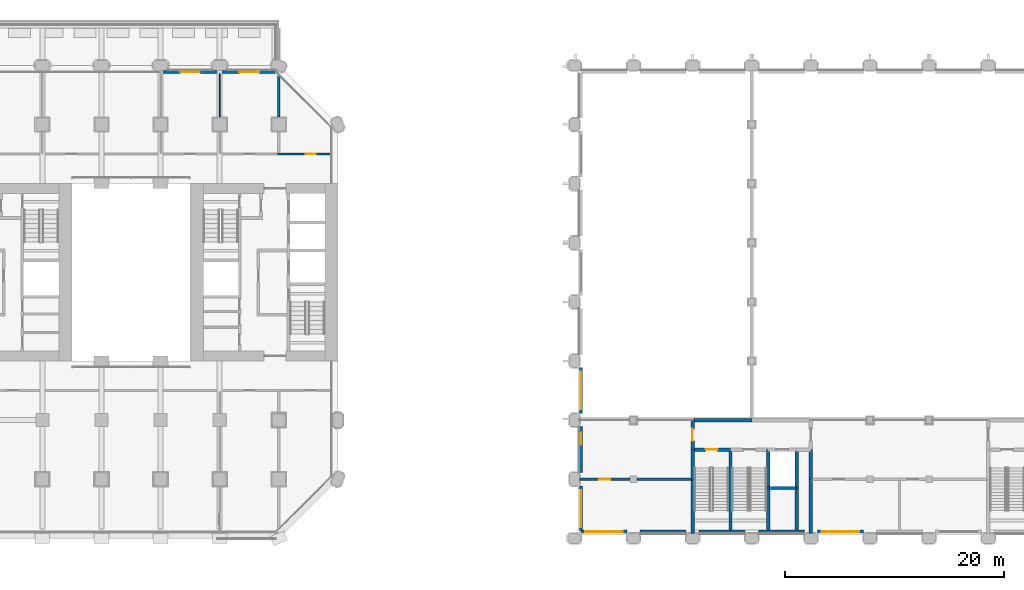
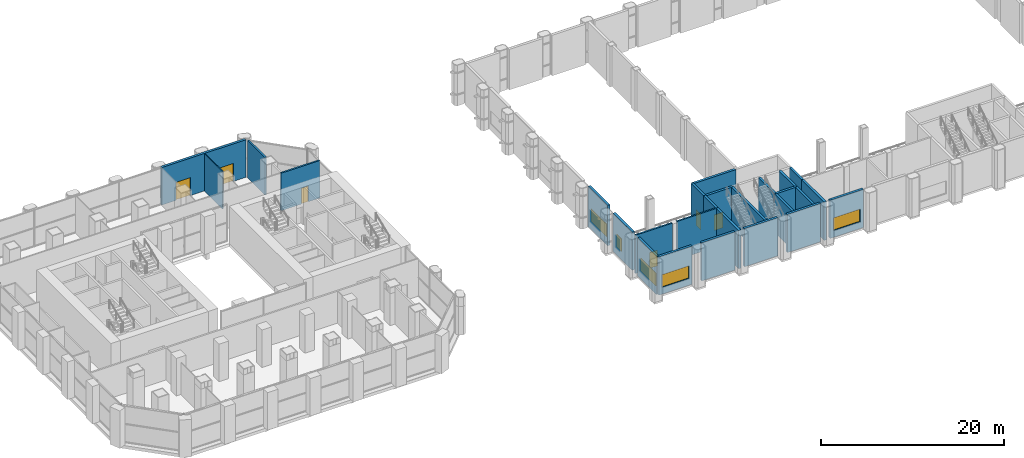
# One storey, part 14 of 27: 27 walls, 6 doors, 5 windows, 11 openings.
"""IFC4 building model written with IfcOpenShell, lengths in metres."""

from ifc_helpers import new_model, si_unit, direction, frame, frame_2d, origin, place, context, subcontext, project, spatial, rectangle, extrude, material, layer, layer_set, type_object, element, fill, save


model = new_model("IFC4")

# Units and contexts
model_context = context("Model", 3, precision=1e-05, world=origin(), true_north=direction((0.0, 1.0)))
body_context = subcontext(model_context, "Body", "Model", "MODEL_VIEW")
ifc_project = project(units=[si_unit("LENGTHUNIT", "METRE"), si_unit("AREAUNIT", "SQUARE_METRE"), si_unit("VOLUMEUNIT", "CUBIC_METRE"), si_unit("PLANEANGLEUNIT", "RADIAN"), si_unit("MASSUNIT", "GRAM", prefix="KILO")], contexts=[model_context])

# Site, building, storey
site_placement = place(None, origin())
site = spatial("IfcSite", under=ifc_project, at=site_placement, CompositionType="ELEMENT")
building_placement = place(site_placement, origin())
building = spatial("IfcBuilding", under=site, at=building_placement, Name="Tabaq Tower and Sports Hall", CompositionType="ELEMENT")
storey_placement = place(building_placement, frame((0.0, 0.0, 14.39990234375)))
storey = spatial("IfcBuildingStorey", under=building, at=storey_placement, Name="L02", CompositionType="ELEMENT", Elevation=14.39990234375)

# Wall, opening, door
ifc_material_1 = material(Name="Blockwork", Category="masonry")
ifc_layer_1 = layer(ifc_material_1, 0.199951171875)
ifc_layer_set_1 = layer_set([ifc_layer_1], Name="Fire compartment wall 200 Blockwork")
wall_type_1 = type_object("IfcWallType", Name="Fire compartment wall 200 Blockwork", PredefinedType="PARTITIONING", material=ifc_layer_set_1)
wall_1_placement = place(storey_placement, frame((42.60009765625, 35.10009765625, 0.0), z_axis=(0.0, 0.0, 1.0), x_axis=(-1.0, 0.0, 0.0)))
wall_1 = element("IfcWall", 1, at=wall_1_placement, inside=storey, type_object=wall_type_1, Name="Compartment wall L02", PredefinedType="PARTITIONING", context=body_context, shape_type="SweptSolid", body=[
    extrude(rectangle(XDim=4.900146484375, YDim=0.199951171875, at=frame_2d((2.4501953125, 0.0))), origin(), (0.0, 0.0, 1.0), 5.0),
])
opening_1_placement = place(wall_1_placement, frame((1.425048828125, 0.0, 0.0)))
opening_1 = element("IfcOpeningElement", 2, at=opening_1_placement, cuts=wall_1, Name="Opening L02-005", PredefinedType="OPENING", context=body_context, shape_type="SweptSolid", body=[
    extrude(rectangle(XDim=0.89990234375, YDim=2.10009765625, at=frame_2d((0.449951171875, 1.050048828125))), frame((0.0, 0.10009765625, 0.0), z_axis=(0.0, -1.0, 0.0), x_axis=(1.0, 0.0, 0.0)), (0.0, 0.0, 1.0), 0.199951171875),
])
ifc_material_2 = material(Name="Steel fire door", Category="steel")
door_type_1 = type_object("IfcDoorType", Name="Plant room door 900 left hand", OperationType="SINGLE_SWING_LEFT", PredefinedType="DOOR", material=ifc_material_2)
door_1_placement = place(opening_1_placement, origin())
door_1 = element("IfcDoor", 3, at=door_1_placement, inside=storey, type_object=door_type_1, Name="Plant room door L02-005", OperationType="SINGLE_SWING_LEFT", OverallHeight=2.10009765625, OverallWidth=0.89990234375, PredefinedType="DOOR", context=body_context, shape_type="SweptSolid", body=[
    extrude(rectangle(XDim=0.89990234375, YDim=2.10009765625, at=frame_2d((0.449951171875, 1.050048828125))), frame((0.0, 0.02490234375, 0.0), z_axis=(0.0, -1.0, 0.0), x_axis=(1.0, 0.0, 0.0)), (0.0, 0.0, 1.0), 0.050048828125),
])
fill(opening_1, door_1)

# Walls
wall_2_placement = place(storey_placement, frame((37.800048828125, 38.500732421875, 0.0), z_axis=(0.0, 0.0, 1.0), x_axis=(0.0, 1.0, 0.0)))
element("IfcWall", 4, at=wall_2_placement, inside=storey, type_object=wall_type_1, Name="Compartment wall L02", PredefinedType="PARTITIONING", context=body_context, shape_type="SweptSolid", body=[
    extrude(rectangle(XDim=3.750732421875, YDim=0.199951171875, at=frame_2d((1.87548828125, 0.0))), origin(), (0.0, 0.0, 1.0), 5.0),
])
ifc_material_3 = material(Name="Concrete C50/60", Category="concrete")
ifc_layer_2 = layer(ifc_material_3, 0.300048828125)
ifc_layer_set_2 = layer_set([ifc_layer_2], Name="HALL CORE WALL RC 300 C50/60")
wall_type_2 = type_object("IfcWallType", Name="HALL CORE WALL RC 300 C50/60", PredefinedType="SHEAR", material=ifc_layer_set_2)
wall_3_placement = place(storey_placement, frame((75.60009765625, 5.39990234375, 0.0), z_axis=(0.0, 0.0, 1.0), x_axis=(0.0, 1.0, 0.0)))
element("IfcWall", 5, at=wall_3_placement, inside=storey, type_object=wall_type_2, Name="L02 core wall 003", PredefinedType="SHEAR", context=body_context, shape_type="SweptSolid", body=[
    extrude(rectangle(XDim=2.7001953125, YDim=0.300048828125, at=frame_2d((1.35009765625, 0.0))), origin(), (0.0, 0.0, 1.0), 5.10009765625),
])

# Wall, opening, door
wall_4_placement = place(storey_placement, frame((75.60009765625, 8.10009765625, 0.0), z_axis=(0.0, 0.0, 1.0), x_axis=(0.0, 1.0, 0.0)))
wall_4 = element("IfcWall", 6, at=wall_4_placement, inside=storey, type_object=wall_type_2, Name="L02 core wall 004", PredefinedType="SHEAR", context=body_context, shape_type="SweptSolid", body=[
    extrude(rectangle(XDim=2.699951171875, YDim=0.300048828125, at=frame_2d((1.35009765625, 0.0))), origin(), (0.0, 0.0, 1.0), 5.10009765625),
])
opening_2_placement = place(wall_4_placement, frame((0.800048828125, 0.0, 0.0)))
opening_2 = element("IfcOpeningElement", 7, at=opening_2_placement, cuts=wall_4, Name="Opening HD055", PredefinedType="OPENING", context=body_context, shape_type="SweptSolid", body=[
    extrude(rectangle(XDim=1.10009765625, YDim=2.10009765625, at=frame_2d((0.550048828125, 1.050048828125))), frame((0.0, 0.14990234375, 0.0), z_axis=(0.0, -1.0, 0.0), x_axis=(1.0, 0.0, 0.0)), (0.0, 0.0, 1.0), 0.300048828125),
])
ifc_material_4 = material(Name="Steel fire door leaf in steel frame", Category="steel")
door_type_2 = type_object("IfcDoorType", Name="HALL FIRE DOOR 1100x2100", OperationType="SINGLE_SWING_LEFT", PredefinedType="DOOR", material=ifc_material_4)
door_2_placement = place(opening_2_placement, origin())
door_2 = element("IfcDoor", 8, at=door_2_placement, inside=storey, type_object=door_type_2, Name="Door HD055", OperationType="SINGLE_SWING_LEFT", OverallHeight=2.10009765625, OverallWidth=1.10009765625, PredefinedType="DOOR", context=body_context, shape_type="SweptSolid", body=[
    extrude(rectangle(XDim=1.10009765625, YDim=2.10009765625, at=frame_2d((0.550048828125, 1.050048828125))), frame((0.0, 0.02490234375, 0.0), z_axis=(0.0, -1.0, 0.0), x_axis=(1.0, 0.0, 0.0)), (0.0, 0.0, 1.0), 0.050048828125),
])
fill(opening_2, door_2)

# Walls
wall_5_placement = place(storey_placement, frame((86.39990234375, 5.39990234375, 0.0), z_axis=(0.0, 0.0, 1.0), x_axis=(0.0, 1.0, 0.0)))
element("IfcWall", 9, at=wall_5_placement, inside=storey, type_object=wall_type_2, Name="L02 core wall 009", PredefinedType="SHEAR", context=body_context, shape_type="SweptSolid", body=[
    extrude(rectangle(XDim=2.7001953125, YDim=0.300048828125, at=frame_2d((1.35009765625, 0.0))), origin(), (0.0, 0.0, 1.0), 5.10009765625),
])
for number, where, z_axis, x_axis, name in (
    (10, (75.60009765625, 0.449951171875, 0.0), (0.0, 0.0, 1.0), (0.0, 1.0, 0.0), "L02 core wall 019"),
    (11, (86.39990234375, 0.449951171875, 0.0), (0.0, 0.0, 1.0), (0.0, 1.0, 0.0), "L02 core wall 021"),
):
    element("IfcWall", number, at=place(storey_placement, frame(where, z_axis=z_axis, x_axis=x_axis)), inside=storey, type_object=wall_type_2, Name=name, PredefinedType="SHEAR", context=body_context, shape_type="SweptSolid", body=[
        extrude(rectangle(XDim=4.949951171875, YDim=0.300048828125, at=frame_2d((2.47509765625, 0.0))), origin(), (0.0, 0.0, 1.0), 5.10009765625),
    ])
wall_6_placement = place(storey_placement, frame((79.050048828125, 0.75, 0.0), z_axis=(0.0, 0.0, 1.0), x_axis=(0.0, 1.0, 0.0)))
element("IfcWall", 12, at=wall_6_placement, inside=storey, type_object=wall_type_2, Name="L02 core wall 027", PredefinedType="SHEAR", context=body_context, shape_type="SweptSolid", body=[
    extrude(rectangle(XDim=7.35009765625, YDim=0.300048828125, at=frame_2d((3.675048828125, 0.0))), origin(), (0.0, 0.0, 1.0), 5.10009765625),
])

# Wall, opening, door
wall_7_placement = place(storey_placement, frame((75.60009765625, 8.10009765625, 0.0), z_axis=(0.0, 0.0, 1.0), x_axis=(1.0, 0.0, 0.0)))
wall_7 = element("IfcWall", 13, at=wall_7_placement, inside=storey, type_object=wall_type_2, Name="L02 core wall 028", PredefinedType="SHEAR", context=body_context, shape_type="SweptSolid", body=[
    extrude(rectangle(XDim=3.449951171875, YDim=0.300048828125, at=frame_2d((1.72509765625, 0.0))), origin(), (0.0, 0.0, 1.0), 5.10009765625),
])
opening_3_placement = place(wall_7_placement, frame((1.175048828125, 0.0, 0.0)))
opening_3 = element("IfcOpeningElement", 14, at=opening_3_placement, cuts=wall_7, Name="Opening HD066", PredefinedType="OPENING", context=body_context, shape_type="SweptSolid", body=[
    extrude(rectangle(XDim=1.10009765625, YDim=2.10009765625, at=frame_2d((0.550048828125, 1.050048828125))), frame((0.0, 0.14990234375, 0.0), z_axis=(0.0, -1.0, 0.0), x_axis=(1.0, 0.0, 0.0)), (0.0, 0.0, 1.0), 0.300048828125),
])
door_3_placement = place(opening_3_placement, origin())
door_3 = element("IfcDoor", 15, at=door_3_placement, inside=storey, type_object=door_type_2, Name="Door HD066", OperationType="SINGLE_SWING_LEFT", OverallHeight=2.10009765625, OverallWidth=1.10009765625, PredefinedType="DOOR", context=body_context, shape_type="SweptSolid", body=[
    extrude(rectangle(XDim=1.10009765625, YDim=2.10009765625, at=frame_2d((0.550048828125, 1.050048828125))), frame((0.0, 0.02490234375, 0.0), z_axis=(0.0, -1.0, 0.0), x_axis=(1.0, 0.0, 0.0)), (0.0, 0.0, 1.0), 0.050048828125),
])
fill(opening_3, door_3)

# Walls
wall_8_placement = place(storey_placement, frame((82.5, 4.60009765625, 0.0), z_axis=(0.0, 0.0, 1.0), x_axis=(0.0, 1.0, 0.0)))
element("IfcWall", 16, at=wall_8_placement, inside=storey, type_object=wall_type_2, Name="L02 core wall 029", PredefinedType="SHEAR", context=body_context, shape_type="SweptSolid", body=[
    extrude(rectangle(XDim=3.5, YDim=0.300048828125, at=frame_2d((1.75, 0.0))), origin(), (0.0, 0.0, 1.0), 5.10009765625),
])
wall_9_placement = place(storey_placement, frame((82.5, 0.75, 0.0), z_axis=(0.0, 0.0, 1.0), x_axis=(0.0, 1.0, 0.0)))
element("IfcWall", 17, at=wall_9_placement, inside=storey, type_object=wall_type_2, Name="L02 core wall 030", PredefinedType="SHEAR", context=body_context, shape_type="SweptSolid", body=[
    extrude(rectangle(XDim=3.85009765625, YDim=0.300048828125, at=frame_2d((1.925048828125, 0.0))), origin(), (0.0, 0.0, 1.0), 5.10009765625),
])
wall_10_placement = place(storey_placement, frame((82.5, 4.60009765625, 0.0), z_axis=(0.0, 0.0, 1.0), x_axis=(1.0, 0.0, 0.0)))
element("IfcWall", 18, at=wall_10_placement, inside=storey, type_object=wall_type_2, Name="L02 core wall 032", PredefinedType="SHEAR", context=body_context, shape_type="SweptSolid", body=[
    extrude(rectangle(XDim=2.60009765625, YDim=0.300048828125, at=frame_2d((1.300048828125, 0.0))), origin(), (0.0, 0.0, 1.0), 5.10009765625),
])
wall_11_placement = place(storey_placement, frame((85.10009765625, 4.60009765625, 0.0), z_axis=(0.0, 0.0, 1.0), x_axis=(0.0, 1.0, 0.0)))
element("IfcWall", 19, at=wall_11_placement, inside=storey, type_object=wall_type_2, Name="L02 core wall 033", PredefinedType="SHEAR", context=body_context, shape_type="SweptSolid", body=[
    extrude(rectangle(XDim=3.5, YDim=0.300048828125, at=frame_2d((1.75, 0.0))), origin(), (0.0, 0.0, 1.0), 5.10009765625),
])
wall_12_placement = place(storey_placement, frame((85.10009765625, 0.75, 0.0), z_axis=(0.0, 0.0, 1.0), x_axis=(0.0, 1.0, 0.0)))
element("IfcWall", 20, at=wall_12_placement, inside=storey, type_object=wall_type_2, Name="L02 core wall 035", PredefinedType="SHEAR", context=body_context, shape_type="SweptSolid", body=[
    extrude(rectangle(XDim=3.85009765625, YDim=0.300048828125, at=frame_2d((1.925048828125, 0.0))), origin(), (0.0, 0.0, 1.0), 5.10009765625),
])
wall_13_placement = place(storey_placement, frame((75.60009765625, 10.800048828125, 0.0), z_axis=(0.0, 0.0, 1.0), x_axis=(1.0, 0.0, 0.0)))
element("IfcWall", 21, at=wall_13_placement, inside=storey, type_object=wall_type_2, Name="L02 core wall 038", PredefinedType="SHEAR", context=body_context, shape_type="SweptSolid", body=[
    extrude(rectangle(XDim=5.39990234375, YDim=0.300048828125, at=frame_2d((2.699951171875, 0.0))), origin(), (0.0, 0.0, 1.0), 5.10009765625),
])

# Wall, opening, door
ifc_material_5 = material(Name="Blockwork partition with plaster both faces", Category="masonry")
ifc_layer_3 = layer(ifc_material_5, 0.199951171875)
ifc_layer_set_3 = layer_set([ifc_layer_3], Name="HALL PARTITION 200")
wall_type_3 = type_object("IfcWallType", Name="HALL PARTITION 200", PredefinedType="PARTITIONING", material=ifc_layer_set_3)
wall_14_placement = place(storey_placement, frame((65.25, 5.39990234375, 0.0), z_axis=(0.0, 0.0, 1.0), x_axis=(1.0, 0.0, 0.0)))
wall_14 = element("IfcWall", 22, at=wall_14_placement, inside=storey, type_object=wall_type_3, Name="L02 partition 001", PredefinedType="PARTITIONING", context=body_context, shape_type="SweptSolid", body=[
    extrude(rectangle(XDim=4.64990234375, YDim=0.199951171875, at=frame_2d((2.324951171875, 0.0))), origin(), (0.0, 0.0, 1.0), 5.10009765625),
])
opening_4_placement = place(wall_14_placement, frame((1.824951171875, 0.0, 0.0)))
opening_4 = element("IfcOpeningElement", 23, at=opening_4_placement, cuts=wall_14, Name="Opening HD059", PredefinedType="OPENING", context=body_context, shape_type="SweptSolid", body=[
    extrude(rectangle(XDim=1.0, YDim=2.10009765625, at=frame_2d((0.5, 1.050048828125))), frame((0.0, 0.10009765625, 0.0), z_axis=(0.0, -1.0, 0.0), x_axis=(1.0, 0.0, 0.0)), (0.0, 0.0, 1.0), 0.199951171875),
])
ifc_material_6 = material(Name="Timber veneer door leaf in steel frame", Category="steel")
door_type_3 = type_object("IfcDoorType", Name="HALL DOOR SINGLE 1000x2100", OperationType="SINGLE_SWING_LEFT", PredefinedType="DOOR", material=ifc_material_6)
door_4_placement = place(opening_4_placement, origin())
door_4 = element("IfcDoor", 24, at=door_4_placement, inside=storey, type_object=door_type_3, Name="Door HD059", OperationType="SINGLE_SWING_LEFT", OverallHeight=2.10009765625, OverallWidth=1.0, PredefinedType="DOOR", context=body_context, shape_type="SweptSolid", body=[
    extrude(rectangle(XDim=1.0, YDim=2.10009765625, at=frame_2d((0.5, 1.050048828125))), frame((0.0, 0.02490234375, 0.0), z_axis=(0.0, -1.0, 0.0), x_axis=(1.0, 0.0, 0.0)), (0.0, 0.0, 1.0), 0.050048828125),
])
fill(opening_4, door_4)

# Walls
wall_15_placement = place(storey_placement, frame((70.5, 5.39990234375, 0.0), z_axis=(0.0, 0.0, 1.0), x_axis=(1.0, 0.0, 0.0)))
element("IfcWall", 25, at=wall_15_placement, inside=storey, type_object=wall_type_3, Name="L02 partition 002", PredefinedType="PARTITIONING", context=body_context, shape_type="SweptSolid", body=[
    extrude(rectangle(XDim=5.10009765625, YDim=0.199951171875, at=frame_2d((2.550048828125, 0.0))), origin(), (0.0, 0.0, 1.0), 5.10009765625),
])
ifc_material_7 = material(Name="Gypsum board on steel studs", Category="steel")
ifc_layer_4 = layer(ifc_material_7, 0.10009765625)
ifc_layer_set_4 = layer_set([ifc_layer_4], Name="Partition 100 Gypsum board")
wall_type_4 = type_object("IfcWallType", Name="Partition 100 Gypsum board", PredefinedType="PARTITIONING", material=ifc_layer_set_4)
wall_16_placement = place(storey_placement, frame((32.39990234375, 38.500732421875, 0.0), z_axis=(0.0, 0.0, 1.0), x_axis=(0.0, 1.0, 0.0)))
element("IfcWall", 26, at=wall_16_placement, inside=storey, type_object=wall_type_4, Name="Partition wall L02", PredefinedType="PARTITIONING", context=body_context, shape_type="SweptSolid", body=[
    extrude(rectangle(XDim=3.9482421875, YDim=0.10009765625, at=frame_2d((1.97412109375, 0.0))), origin(), (0.0, 0.0, 1.0), 5.0),
])

# Wall, opening, window
ifc_material_8 = material(Name="White precast concrete C60/75", Category="concrete")
ifc_layer_5 = layer(ifc_material_8, 0.300048828125)
ifc_layer_set_5 = layer_set([ifc_layer_5], Name="White precast concrete C60/75 external wall 300")
wall_type_5 = type_object("IfcWallType", Name="White precast concrete C60/75 external wall 300", PredefinedType="SOLIDWALL", material=ifc_layer_set_5)
wall_17_placement = place(storey_placement, frame((65.39990234375, 0.60009765625, 0.0), z_axis=(0.0, 0.0, 1.0), x_axis=(1.0, 0.0, 0.0)))
wall_17 = element("IfcWall", 27, at=wall_17_placement, inside=storey, type_object=wall_type_5, Name="L02 S facade panel", PredefinedType="SOLIDWALL", context=body_context, shape_type="SweptSolid", body=[
    extrude(rectangle(XDim=4.2001953125, YDim=0.300048828125, at=frame_2d((2.10009765625, 0.0))), origin(), (0.0, 0.0, 1.0), 5.10009765625),
])
opening_5_placement = place(wall_17_placement, frame((0.39990234375, 0.0, 0.89990234375)))
opening_5 = element("IfcOpeningElement", 28, at=opening_5_placement, cuts=wall_17, Name="Opening HW001", PredefinedType="OPENING", context=body_context, shape_type="SweptSolid", body=[
    extrude(rectangle(XDim=3.39990234375, YDim=1.699951171875, at=frame_2d((1.699951171875, 0.85009765625))), frame((0.0, 0.14990234375, 0.0), z_axis=(0.0, -1.0, 0.0), x_axis=(1.0, 0.0, 0.0)), (0.0, 0.0, 1.0), 0.300048828125),
])
ifc_material_9 = material(Name="Aluminium framed clear glazing", Category="aluminium")
window_type_1 = type_object("IfcWindowType", Name="Window W1A", PartitioningType="SINGLE_PANEL", PredefinedType="WINDOW", material=ifc_material_9)
window_1_placement = place(opening_5_placement, origin())
window_1 = element("IfcWindow", 29, at=window_1_placement, inside=storey, type_object=window_type_1, Name="Window HW001", OverallHeight=1.699951171875, OverallWidth=3.39990234375, PartitioningType="SINGLE_PANEL", PredefinedType="WINDOW", context=body_context, shape_type="SweptSolid", body=[
    extrude(rectangle(XDim=3.39990234375, YDim=1.699951171875, at=frame_2d((1.699951171875, 0.85009765625))), frame((0.0, 0.030029296875, 0.0), z_axis=(0.0, -1.0, 0.0), x_axis=(1.0, 0.0, 0.0)), (0.0, 0.0, 1.0), 0.06005859375),
])
fill(opening_5, window_1)

# Walls
for number, where, z_axis, x_axis, name in (
    (30, (70.800048828125, 0.60009765625, 0.0), (0.0, 0.0, 1.0), (1.0, 0.0, 0.0), "L02 S facade panel"),
    (31, (76.199951171875, 0.60009765625, 0.0), (0.0, 0.0, 1.0), (1.0, 0.0, 0.0), "L02 S facade panel"),
    (32, (81.60009765625, 0.60009765625, 0.0), (0.0, 0.0, 1.0), (1.0, 0.0, 0.0), "L02 S facade panel"),
):
    element("IfcWall", number, at=place(storey_placement, frame(where, z_axis=z_axis, x_axis=x_axis)), inside=storey, type_object=wall_type_5, Name=name, PredefinedType="SOLIDWALL", context=body_context, shape_type="SweptSolid", body=[
        extrude(rectangle(XDim=4.199951171875, YDim=0.300048828125, at=frame_2d((2.10009765625, 0.0))), origin(), (0.0, 0.0, 1.0), 5.10009765625),
    ])

# Wall, opening, window
wall_18_placement = place(storey_placement, frame((87.0, 0.60009765625, 0.0), z_axis=(0.0, 0.0, 1.0), x_axis=(1.0, 0.0, 0.0)))
wall_18 = element("IfcWall", 33, at=wall_18_placement, inside=storey, type_object=wall_type_5, Name="L02 S facade panel", PredefinedType="SOLIDWALL", context=body_context, shape_type="SweptSolid", body=[
    extrude(rectangle(XDim=4.199951171875, YDim=0.300048828125, at=frame_2d((2.10009765625, 0.0))), origin(), (0.0, 0.0, 1.0), 5.10009765625),
])
opening_6_placement = place(wall_18_placement, frame((0.39990234375, 0.0, 0.89990234375)))
opening_6 = element("IfcOpeningElement", 34, at=opening_6_placement, cuts=wall_18, Name="Opening HW006", PredefinedType="OPENING", context=body_context, shape_type="SweptSolid", body=[
    extrude(rectangle(XDim=3.39990234375, YDim=1.699951171875, at=frame_2d((1.699951171875, 0.85009765625))), frame((0.0, 0.14990234375, 0.0), z_axis=(0.0, -1.0, 0.0), x_axis=(1.0, 0.0, 0.0)), (0.0, 0.0, 1.0), 0.300048828125),
])
window_2_placement = place(opening_6_placement, origin())
window_2 = element("IfcWindow", 35, at=window_2_placement, inside=storey, type_object=window_type_1, Name="Window HW006", OverallHeight=1.699951171875, OverallWidth=3.39990234375, PartitioningType="SINGLE_PANEL", PredefinedType="WINDOW", context=body_context, shape_type="SweptSolid", body=[
    extrude(rectangle(XDim=3.39990234375, YDim=1.699951171875, at=frame_2d((1.699951171875, 0.85009765625))), frame((0.0, 0.030029296875, 0.0), z_axis=(0.0, -1.0, 0.0), x_axis=(1.0, 0.0, 0.0)), (0.0, 0.0, 1.0), 0.06005859375),
])
fill(opening_6, window_2)

wall_19_placement = place(storey_placement, frame((65.39990234375, 0.699951171875, 0.0), z_axis=(0.0, 0.0, 1.0), x_axis=(0.0, 1.0, 0.0)))
wall_19 = element("IfcWall", 36, at=wall_19_placement, inside=storey, type_object=wall_type_5, Name="L02 W facade panel", PredefinedType="SOLIDWALL", context=body_context, shape_type="SweptSolid", body=[
    extrude(rectangle(XDim=4.10009765625, YDim=0.300048828125, at=frame_2d((2.050048828125, 0.0))), origin(), (0.0, 0.0, 1.0), 5.10009765625),
])
opening_7_placement = place(wall_19_placement, frame((0.300048828125, 0.0, 0.89990234375)))
opening_7 = element("IfcOpeningElement", 37, at=opening_7_placement, cuts=wall_19, Name="Opening HW026", PredefinedType="OPENING", context=body_context, shape_type="SweptSolid", body=[
    extrude(rectangle(XDim=3.39990234375, YDim=1.699951171875, at=frame_2d((1.699951171875, 0.85009765625))), frame((0.0, 0.14990234375, 0.0), z_axis=(0.0, -1.0, 0.0), x_axis=(1.0, 0.0, 0.0)), (0.0, 0.0, 1.0), 0.300048828125),
])
window_3_placement = place(opening_7_placement, origin())
window_3 = element("IfcWindow", 38, at=window_3_placement, inside=storey, type_object=window_type_1, Name="Window HW026", OverallHeight=1.699951171875, OverallWidth=3.39990234375, PartitioningType="SINGLE_PANEL", PredefinedType="WINDOW", context=body_context, shape_type="SweptSolid", body=[
    extrude(rectangle(XDim=3.39990234375, YDim=1.699951171875, at=frame_2d((1.699951171875, 0.85009765625))), frame((0.0, 0.030029296875, 0.0), z_axis=(0.0, -1.0, 0.0), x_axis=(1.0, 0.0, 0.0)), (0.0, 0.0, 1.0), 0.06005859375),
])
fill(opening_7, window_3)

wall_20_placement = place(storey_placement, frame((65.39990234375, 6.0, 0.0), z_axis=(0.0, 0.0, 1.0), x_axis=(0.0, 1.0, 0.0)))
wall_20 = element("IfcWall", 39, at=wall_20_placement, inside=storey, type_object=wall_type_5, Name="L02 W facade panel", PredefinedType="SOLIDWALL", context=body_context, shape_type="SweptSolid", body=[
    extrude(rectangle(XDim=4.199951171875, YDim=0.300048828125, at=frame_2d((2.10009765625, 0.0))), origin(), (0.0, 0.0, 1.0), 5.10009765625),
])
opening_8_placement = place(wall_20_placement, frame((2.550048828125, 0.0, 0.89990234375)))
opening_8 = element("IfcOpeningElement", 40, at=opening_8_placement, cuts=wall_20, Name="Opening HW030", PredefinedType="OPENING", context=body_context, shape_type="SweptSolid", body=[
    extrude(rectangle(XDim=1.10009765625, YDim=1.699951171875, at=frame_2d((0.550048828125, 0.85009765625))), frame((0.0, 0.14990234375, 0.0), z_axis=(0.0, -1.0, 0.0), x_axis=(1.0, 0.0, 0.0)), (0.0, 0.0, 1.0), 0.300048828125),
])
ifc_material_10 = material(Name="Aluminium framed clear glazing", Category="aluminium")
window_type_2 = type_object("IfcWindowType", Name="Window W1B", PartitioningType="SINGLE_PANEL", PredefinedType="WINDOW", material=ifc_material_10)
window_4_placement = place(opening_8_placement, origin())
window_4 = element("IfcWindow", 41, at=window_4_placement, inside=storey, type_object=window_type_2, Name="Window HW030", OverallHeight=1.699951171875, OverallWidth=1.10009765625, PartitioningType="SINGLE_PANEL", PredefinedType="WINDOW", context=body_context, shape_type="SweptSolid", body=[
    extrude(rectangle(XDim=1.10009765625, YDim=1.699951171875, at=frame_2d((0.550048828125, 0.85009765625))), frame((0.0, 0.030029296875, 0.0), z_axis=(0.0, -1.0, 0.0), x_axis=(1.0, 0.0, 0.0)), (0.0, 0.0, 1.0), 0.06005859375),
])
fill(opening_8, window_4)

wall_21_placement = place(storey_placement, frame((65.39990234375, 11.39990234375, 0.0), z_axis=(0.0, 0.0, 1.0), x_axis=(0.0, 1.0, 0.0)))
wall_21 = element("IfcWall", 42, at=wall_21_placement, inside=storey, type_object=wall_type_5, Name="L02 W facade panel", PredefinedType="SOLIDWALL", context=body_context, shape_type="SweptSolid", body=[
    extrude(rectangle(XDim=4.2001953125, YDim=0.300048828125, at=frame_2d((2.10009765625, 0.0))), origin(), (0.0, 0.0, 1.0), 5.400146484375),
])
opening_9_placement = place(wall_21_placement, frame((0.39990234375, 0.0, 0.89990234375)))
opening_9 = element("IfcOpeningElement", 43, at=opening_9_placement, cuts=wall_21, Name="Opening HW032", PredefinedType="OPENING", context=body_context, shape_type="SweptSolid", body=[
    extrude(rectangle(XDim=3.39990234375, YDim=1.699951171875, at=frame_2d((1.699951171875, 0.85009765625))), frame((0.0, 0.14990234375, 0.0), z_axis=(0.0, -1.0, 0.0), x_axis=(1.0, 0.0, 0.0)), (0.0, 0.0, 1.0), 0.300048828125),
])
window_5_placement = place(opening_9_placement, origin())
window_5 = element("IfcWindow", 44, at=window_5_placement, inside=storey, type_object=window_type_1, Name="Window HW032", OverallHeight=1.699951171875, OverallWidth=3.39990234375, PartitioningType="SINGLE_PANEL", PredefinedType="WINDOW", context=body_context, shape_type="SweptSolid", body=[
    extrude(rectangle(XDim=3.39990234375, YDim=1.699951171875, at=frame_2d((1.699951171875, 0.85009765625))), frame((0.0, 0.030029296875, 0.0), z_axis=(0.0, -1.0, 0.0), x_axis=(1.0, 0.0, 0.0)), (0.0, 0.0, 1.0), 0.06005859375),
])
fill(opening_9, window_5)

# Wall, openings, doors
wall_22_placement = place(storey_placement, frame((37.613525390625, 42.60009765625, 0.0), z_axis=(0.0, 0.0, 1.0), x_axis=(-1.0, 0.0, 0.0)))
wall_22 = element("IfcWall", 45, at=wall_22_placement, inside=storey, type_object=wall_type_5, Name="External Wall L02 N", PredefinedType="SOLIDWALL", context=body_context, shape_type="SweptSolid", body=[
    extrude(rectangle(XDim=10.613525390625, YDim=0.300048828125, at=frame_2d((5.306640625, 0.0))), origin(), (0.0, 0.0, 1.0), 5.0),
])
opening_10_placement = place(wall_22_placement, frame((1.613525390625, 0.0, 0.0)))
opening_10 = element("IfcOpeningElement", 46, at=opening_10_placement, cuts=wall_22, Name="Opening TD0201", PredefinedType="OPENING", context=body_context, shape_type="SweptSolid", body=[
    extrude(rectangle(XDim=1.800048828125, YDim=2.39990234375, at=frame_2d((0.89990234375, 1.199951171875))), frame((0.0, 0.16015625, 0.0), z_axis=(0.0, -1.0, 0.0), x_axis=(1.0, 0.0, 0.0)), (0.0, 0.0, 1.0), 0.320068359375),
])
opening_11_placement = place(wall_22_placement, frame((7.013671875, 0.0, 0.0)))
opening_11 = element("IfcOpeningElement", 47, at=opening_11_placement, cuts=wall_22, Name="Opening TD0202", PredefinedType="OPENING", context=body_context, shape_type="SweptSolid", body=[
    extrude(rectangle(XDim=1.800048828125, YDim=2.39990234375, at=frame_2d((0.89990234375, 1.199951171875))), frame((0.0, 0.16015625, 0.0), z_axis=(0.0, -1.0, 0.0), x_axis=(1.0, 0.0, 0.0)), (0.0, 0.0, 1.0), 0.320068359375),
])
ifc_material_11 = material(Name="Aluminium framed clear glazing", Category="aluminium")
door_type_4 = type_object("IfcDoorType", Name="Terrace door TD1", OperationType="DOUBLE_DOOR_DOUBLE_SWING", PredefinedType="DOOR", material=ifc_material_11)
door_5_placement = place(opening_10_placement, origin())
door_5 = element("IfcDoor", 48, at=door_5_placement, inside=storey, type_object=door_type_4, Name="Terrace door TD0201", OperationType="DOUBLE_DOOR_DOUBLE_SWING", OverallHeight=2.39990234375, OverallWidth=1.800048828125, PredefinedType="DOOR", context=body_context, shape_type="SweptSolid", body=[
    extrude(rectangle(XDim=1.800048828125, YDim=2.39990234375, at=frame_2d((0.89990234375, 1.199951171875))), frame((0.0, 0.02490234375, 0.0), z_axis=(0.0, -1.0, 0.0), x_axis=(1.0, 0.0, 0.0)), (0.0, 0.0, 1.0), 0.050048828125),
])
fill(opening_10, door_5)
door_6_placement = place(opening_11_placement, origin())
door_6 = element("IfcDoor", 49, at=door_6_placement, inside=storey, type_object=door_type_4, Name="Terrace door TD0202", OperationType="DOUBLE_DOOR_DOUBLE_SWING", OverallHeight=2.39990234375, OverallWidth=1.800048828125, PredefinedType="DOOR", context=body_context, shape_type="SweptSolid", body=[
    extrude(rectangle(XDim=1.800048828125, YDim=2.39990234375, at=frame_2d((0.89990234375, 1.199951171875))), frame((0.0, 0.02490234375, 0.0), z_axis=(0.0, -1.0, 0.0), x_axis=(1.0, 0.0, 0.0)), (0.0, 0.0, 1.0), 0.050048828125),
])
fill(opening_11, door_6)

save(model, "model.ifc")
